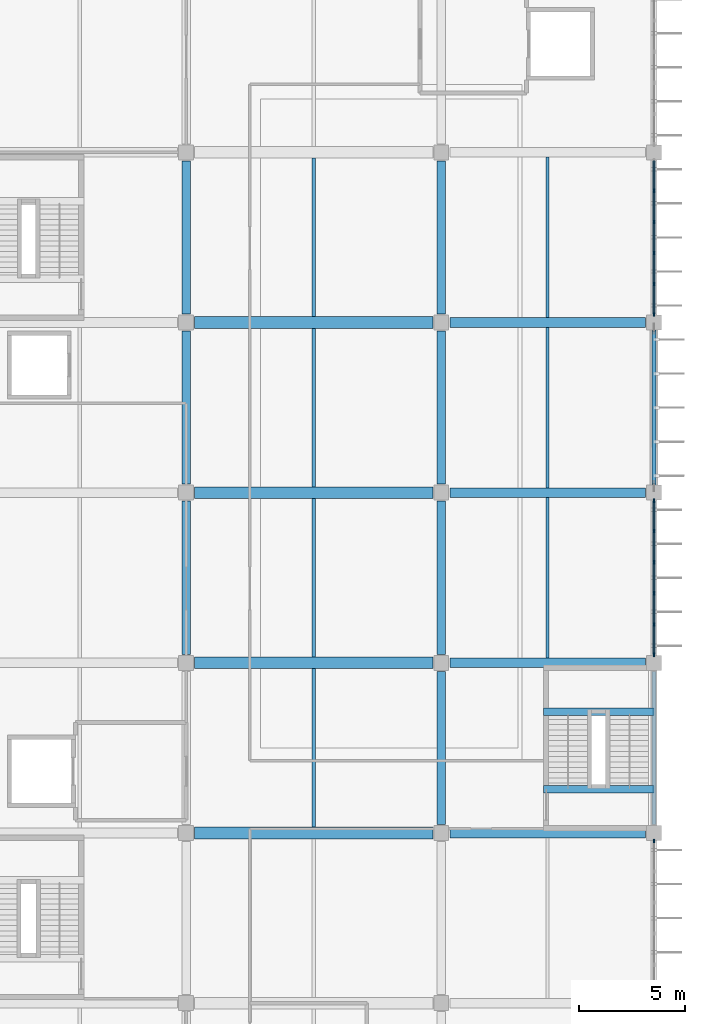
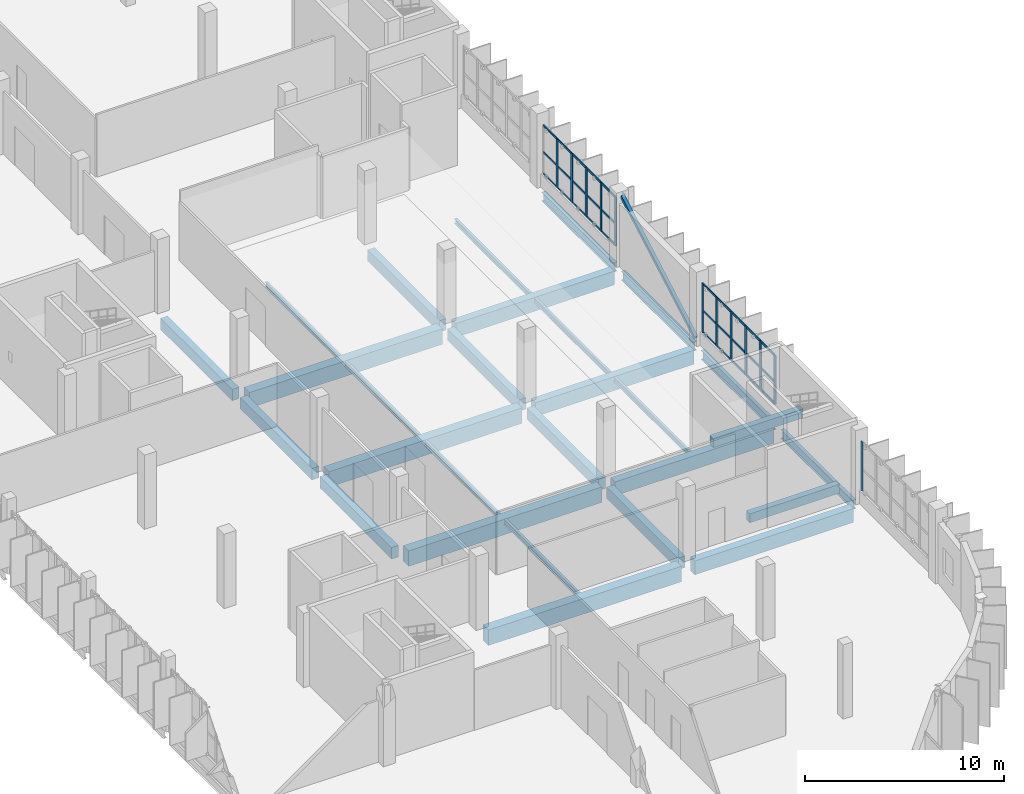
# One storey, part 45 of 93: 43 members, 28 beams, 3 elements without a shape of their own.
"""IFC4 building model written with IfcOpenShell, lengths in metres."""

from ifc_helpers import new_model, si_unit, direction, frame, origin, origin_2d, place, context, subcontext, project, spatial, rectangle, hollow_rectangle, i_section, extrude, material, layer, layer_set, material_profile, profile_set, type_object, element, aggregate, save


model = new_model("IFC4")

# Units and contexts
model_context = context("Model", 3, precision=1e-05, world=origin(), true_north=direction((0.0, 1.0)))
body_context = subcontext(model_context, "Body", "Model", "MODEL_VIEW")
ifc_project = project(units=[si_unit("LENGTHUNIT", "METRE"), si_unit("AREAUNIT", "SQUARE_METRE"), si_unit("VOLUMEUNIT", "CUBIC_METRE"), si_unit("PLANEANGLEUNIT", "RADIAN"), si_unit("MASSUNIT", "GRAM", prefix="KILO")], contexts=[model_context])

# Site, building, storey
site_placement = place(None, origin())
site = spatial("IfcSite", under=ifc_project, at=site_placement, CompositionType="ELEMENT")
building_placement = place(site_placement, origin())
building = spatial("IfcBuilding", under=site, at=building_placement, Name="Drelvana Railside Aquatics Centre", CompositionType="ELEMENT")
storey_placement = place(building_placement, frame((0.0, 0.0, 5.39990234375)))
storey = spatial("IfcBuildingStorey", under=building, at=storey_placement, Name="L01", CompositionType="ELEMENT", Elevation=5.39990234375)

# Curtain wall, member
ifc_material_1 = material(Name="Bronze-anodised aluminium curtain wall", Category="aluminium")
ifc_layer = layer(ifc_material_1, 0.175048828125, Name="Bronze-anodised aluminium curtain wall")
ifc_layer_set = layer_set([ifc_layer], Name="Bronze-anodised aluminium curtain wall")
curtain_wall_type = type_object("IfcCurtainWallType", Name="CW-Z6-WING", PredefinedType="NOTDEFINED", material=ifc_layer_set)
curtain_wall_1_placement = place(storey_placement, origin())
curtain_wall_1 = element("IfcCurtainWall", 1, at=curtain_wall_1_placement, inside=storey, type_object=curtain_wall_type, Name="Curtain wall CW-06-167", PredefinedType="NOTDEFINED")
ifc_material_2 = material(Name="Bronze-anodised aluminium 6063-T6", Category="aluminium")
ifc_material_profile_1 = material_profile(ifc_material_2, rectangle(XDim=0.06494140625, YDim=0.175048828125, at=origin_2d()), Name="ALU-M 65x175")
ifc_profile_set_1 = profile_set([ifc_material_profile_1], Name="Bronze-anodised aluminium 6063-T6")
member_type_1 = type_object("IfcMemberType", Name="CW-Z6-WING-MUL", PredefinedType="MULLION", material=ifc_profile_set_1)
member_1_placement = place(storey_placement, frame((184.0, 31.62353515625, 0.794189453125), z_axis=(0.0, 0.0, 1.0), x_axis=(-1.0, 0.0, 0.0)))
member_1 = element("IfcMember", 2, at=member_1_placement, type_object=member_type_1, Name="CW-06 mullion 6", PredefinedType="MULLION", context=body_context, shape_type="SweptSolid", body=[
    extrude(rectangle(XDim=0.06494140625, YDim=0.175048828125, at=origin_2d()), origin(), (0.0, 0.0, 1.0), 3.005859375),
])
aggregate(curtain_wall_1, [member_1])

# Curtain wall, members
curtain_wall_2_placement = place(storey_placement, origin())
curtain_wall_2 = element("IfcCurtainWall", 3, at=curtain_wall_2_placement, inside=storey, type_object=curtain_wall_type, Name="Curtain wall CW-06-171", PredefinedType="NOTDEFINED")
member_2_placement = place(storey_placement, frame((184.0, 40.37646484375, 0.794189453125), z_axis=(0.0, 0.0, 1.0), x_axis=(-1.0, 0.0, 0.0)))
member_2 = element("IfcMember", 4, at=member_2_placement, type_object=member_type_1, Name="CW-06 mullion 1", PredefinedType="MULLION", context=body_context, shape_type="SweptSolid", body=[
    extrude(rectangle(XDim=0.06494140625, YDim=0.175048828125, at=origin_2d()), origin(), (0.0, 0.0, 1.0), 3.005859375),
])
member_3_placement = place(storey_placement, frame((184.0, 41.806396484375, 0.794189453125), z_axis=(0.0, 0.0, 1.0), x_axis=(-1.0, 0.0, 0.0)))
member_3 = element("IfcMember", 5, at=member_3_placement, type_object=member_type_1, Name="CW-06 mullion 2", PredefinedType="MULLION", context=body_context, shape_type="SweptSolid", body=[
    extrude(rectangle(XDim=0.06494140625, YDim=0.175048828125, at=origin_2d()), origin(), (0.0, 0.0, 1.0), 3.005859375),
])
member_4_placement = place(storey_placement, frame((184.0, 43.268798828125, 0.794189453125), z_axis=(0.0, 0.0, 1.0), x_axis=(-1.0, 0.0, 0.0)))
member_4 = element("IfcMember", 6, at=member_4_placement, type_object=member_type_1, Name="CW-06 mullion 3", PredefinedType="MULLION", context=body_context, shape_type="SweptSolid", body=[
    extrude(rectangle(XDim=0.06494140625, YDim=0.175048828125, at=origin_2d()), origin(), (0.0, 0.0, 1.0), 3.005859375),
])
member_5_placement = place(storey_placement, frame((184.0, 44.731201171875, 0.794189453125), z_axis=(0.0, 0.0, 1.0), x_axis=(-1.0, 0.0, 0.0)))
member_5 = element("IfcMember", 7, at=member_5_placement, type_object=member_type_1, Name="CW-06 mullion 4", PredefinedType="MULLION", context=body_context, shape_type="SweptSolid", body=[
    extrude(rectangle(XDim=0.06494140625, YDim=0.175048828125, at=origin_2d()), origin(), (0.0, 0.0, 1.0), 3.005859375),
])
member_6_placement = place(storey_placement, frame((184.0, 46.193603515625, 0.794189453125), z_axis=(0.0, 0.0, 1.0), x_axis=(-1.0, 0.0, 0.0)))
member_6 = element("IfcMember", 8, at=member_6_placement, type_object=member_type_1, Name="CW-06 mullion 5", PredefinedType="MULLION", context=body_context, shape_type="SweptSolid", body=[
    extrude(rectangle(XDim=0.06494140625, YDim=0.175048828125, at=origin_2d()), origin(), (0.0, 0.0, 1.0), 3.005859375),
])
member_7_placement = place(storey_placement, frame((184.0, 47.62353515625, 0.794189453125), z_axis=(0.0, 0.0, 1.0), x_axis=(-1.0, 0.0, 0.0)))
member_7 = element("IfcMember", 9, at=member_7_placement, type_object=member_type_1, Name="CW-06 mullion 6", PredefinedType="MULLION", context=body_context, shape_type="SweptSolid", body=[
    extrude(rectangle(XDim=0.06494140625, YDim=0.175048828125, at=origin_2d()), origin(), (0.0, 0.0, 1.0), 3.005859375),
])

curtain_wall_3_placement = place(storey_placement, origin())
curtain_wall_3 = element("IfcCurtainWall", 10, at=curtain_wall_3_placement, inside=storey, type_object=curtain_wall_type, Name="Curtain wall CW-06-176", PredefinedType="NOTDEFINED")
member_8_placement = place(storey_placement, frame((184.0, 56.37646484375, 0.794189453125), z_axis=(0.0, 0.0, 1.0), x_axis=(-1.0, 0.0, 0.0)))
member_8 = element("IfcMember", 11, at=member_8_placement, type_object=member_type_1, Name="CW-06 mullion 1", PredefinedType="MULLION", context=body_context, shape_type="SweptSolid", body=[
    extrude(rectangle(XDim=0.06494140625, YDim=0.175048828125, at=origin_2d()), origin(), (0.0, 0.0, 1.0), 3.005859375),
])
member_9_placement = place(storey_placement, frame((184.0, 57.806396484375, 0.794189453125), z_axis=(0.0, 0.0, 1.0), x_axis=(-1.0, 0.0, 0.0)))
member_9 = element("IfcMember", 12, at=member_9_placement, type_object=member_type_1, Name="CW-06 mullion 2", PredefinedType="MULLION", context=body_context, shape_type="SweptSolid", body=[
    extrude(rectangle(XDim=0.06494140625, YDim=0.175048828125, at=origin_2d()), origin(), (0.0, 0.0, 1.0), 3.005859375),
])
member_10_placement = place(storey_placement, frame((184.0, 59.268798828125, 0.794189453125), z_axis=(0.0, 0.0, 1.0), x_axis=(-1.0, 0.0, 0.0)))
member_10 = element("IfcMember", 13, at=member_10_placement, type_object=member_type_1, Name="CW-06 mullion 3", PredefinedType="MULLION", context=body_context, shape_type="SweptSolid", body=[
    extrude(rectangle(XDim=0.06494140625, YDim=0.175048828125, at=origin_2d()), origin(), (0.0, 0.0, 1.0), 3.005859375),
])
member_11_placement = place(storey_placement, frame((184.0, 60.731201171875, 0.794189453125), z_axis=(0.0, 0.0, 1.0), x_axis=(-1.0, 0.0, 0.0)))
member_11 = element("IfcMember", 14, at=member_11_placement, type_object=member_type_1, Name="CW-06 mullion 4", PredefinedType="MULLION", context=body_context, shape_type="SweptSolid", body=[
    extrude(rectangle(XDim=0.06494140625, YDim=0.175048828125, at=origin_2d()), origin(), (0.0, 0.0, 1.0), 3.005859375),
])
member_12_placement = place(storey_placement, frame((184.0, 62.193603515625, 0.794189453125), z_axis=(0.0, 0.0, 1.0), x_axis=(-1.0, 0.0, 0.0)))
member_12 = element("IfcMember", 15, at=member_12_placement, type_object=member_type_1, Name="CW-06 mullion 5", PredefinedType="MULLION", context=body_context, shape_type="SweptSolid", body=[
    extrude(rectangle(XDim=0.06494140625, YDim=0.175048828125, at=origin_2d()), origin(), (0.0, 0.0, 1.0), 3.005859375),
])

# Member
ifc_material_profile_2 = material_profile(ifc_material_2, rectangle(XDim=0.1201171875, YDim=0.06005859375, at=origin_2d()), Name="ALU-T 60x120")
ifc_profile_set_2 = profile_set([ifc_material_profile_2], Name="Bronze-anodised aluminium 6063-T6")
member_type_2 = type_object("IfcMemberType", Name="CW-Z6-WING-TRN", PredefinedType="USERDEFINED", material=ifc_profile_set_2)
member_13_placement = place(storey_placement, frame((184.0, 40.404052734375, 0.82421875), z_axis=(0.0, 1.0, 0.0), x_axis=(0.0, 0.0, 1.0)))
member_13 = element("IfcMember", 16, at=member_13_placement, type_object=member_type_2, Name="CW-06 transom 1.1", ObjectType="TRANSOM", PredefinedType="USERDEFINED", context=body_context, shape_type="SweptSolid", body=[
    extrude(rectangle(XDim=0.1201171875, YDim=0.06005859375, at=origin_2d()), origin(), (0.0, 0.0, 1.0), 1.374755859375),
])

member_14_placement = place(storey_placement, frame((184.0, 40.404052734375, 2.147216796875), z_axis=(0.0, 1.0, 0.0), x_axis=(0.0, 0.0, 1.0)))
member_14 = element("IfcMember", 17, at=member_14_placement, type_object=member_type_2, Name="CW-06 transom 1.2", ObjectType="TRANSOM", PredefinedType="USERDEFINED", context=body_context, shape_type="SweptSolid", body=[
    extrude(rectangle(XDim=0.1201171875, YDim=0.06005859375, at=origin_2d()), origin(), (0.0, 0.0, 1.0), 1.374755859375),
])

member_15_placement = place(storey_placement, frame((184.0, 40.404052734375, 3.77001953125), z_axis=(0.0, 1.0, 0.0), x_axis=(0.0, 0.0, 1.0)))
member_15 = element("IfcMember", 18, at=member_15_placement, type_object=member_type_2, Name="CW-06 transom 1.3", ObjectType="TRANSOM", PredefinedType="USERDEFINED", context=body_context, shape_type="SweptSolid", body=[
    extrude(rectangle(XDim=0.1201171875, YDim=0.06005859375, at=origin_2d()), origin(), (0.0, 0.0, 1.0), 1.374755859375),
])

member_16_placement = place(storey_placement, frame((184.0, 41.833984375, 0.82421875), z_axis=(0.0, 1.0, 0.0), x_axis=(0.0, 0.0, 1.0)))
member_16 = element("IfcMember", 19, at=member_16_placement, type_object=member_type_2, Name="CW-06 transom 2.1", ObjectType="TRANSOM", PredefinedType="USERDEFINED", context=body_context, shape_type="SweptSolid", body=[
    extrude(rectangle(XDim=0.1201171875, YDim=0.06005859375, at=origin_2d()), origin(), (0.0, 0.0, 1.0), 1.4072265625),
])

member_17_placement = place(storey_placement, frame((184.0, 41.833984375, 2.147216796875), z_axis=(0.0, 1.0, 0.0), x_axis=(0.0, 0.0, 1.0)))
member_17 = element("IfcMember", 20, at=member_17_placement, type_object=member_type_2, Name="CW-06 transom 2.2", ObjectType="TRANSOM", PredefinedType="USERDEFINED", context=body_context, shape_type="SweptSolid", body=[
    extrude(rectangle(XDim=0.1201171875, YDim=0.06005859375, at=origin_2d()), origin(), (0.0, 0.0, 1.0), 1.4072265625),
])

member_18_placement = place(storey_placement, frame((184.0, 41.833984375, 3.77001953125), z_axis=(0.0, 1.0, 0.0), x_axis=(0.0, 0.0, 1.0)))
member_18 = element("IfcMember", 21, at=member_18_placement, type_object=member_type_2, Name="CW-06 transom 2.3", ObjectType="TRANSOM", PredefinedType="USERDEFINED", context=body_context, shape_type="SweptSolid", body=[
    extrude(rectangle(XDim=0.1201171875, YDim=0.06005859375, at=origin_2d()), origin(), (0.0, 0.0, 1.0), 1.4072265625),
])

member_19_placement = place(storey_placement, frame((184.0, 43.29638671875, 0.82421875), z_axis=(0.0, 1.0, 0.0), x_axis=(0.0, 0.0, 1.0)))
member_19 = element("IfcMember", 22, at=member_19_placement, type_object=member_type_2, Name="CW-06 transom 3.1", ObjectType="TRANSOM", PredefinedType="USERDEFINED", context=body_context, shape_type="SweptSolid", body=[
    extrude(rectangle(XDim=0.1201171875, YDim=0.06005859375, at=origin_2d()), origin(), (0.0, 0.0, 1.0), 1.4072265625),
])

member_20_placement = place(storey_placement, frame((184.0, 43.29638671875, 2.147216796875), z_axis=(0.0, 1.0, 0.0), x_axis=(0.0, 0.0, 1.0)))
member_20 = element("IfcMember", 23, at=member_20_placement, type_object=member_type_2, Name="CW-06 transom 3.2", ObjectType="TRANSOM", PredefinedType="USERDEFINED", context=body_context, shape_type="SweptSolid", body=[
    extrude(rectangle(XDim=0.1201171875, YDim=0.06005859375, at=origin_2d()), origin(), (0.0, 0.0, 1.0), 1.4072265625),
])

member_21_placement = place(storey_placement, frame((184.0, 43.29638671875, 3.77001953125), z_axis=(0.0, 1.0, 0.0), x_axis=(0.0, 0.0, 1.0)))
member_21 = element("IfcMember", 24, at=member_21_placement, type_object=member_type_2, Name="CW-06 transom 3.3", ObjectType="TRANSOM", PredefinedType="USERDEFINED", context=body_context, shape_type="SweptSolid", body=[
    extrude(rectangle(XDim=0.1201171875, YDim=0.06005859375, at=origin_2d()), origin(), (0.0, 0.0, 1.0), 1.4072265625),
])

member_22_placement = place(storey_placement, frame((184.0, 44.7587890625, 0.82421875), z_axis=(0.0, 1.0, 0.0), x_axis=(0.0, 0.0, 1.0)))
member_22 = element("IfcMember", 25, at=member_22_placement, type_object=member_type_2, Name="CW-06 transom 4.1", ObjectType="TRANSOM", PredefinedType="USERDEFINED", context=body_context, shape_type="SweptSolid", body=[
    extrude(rectangle(XDim=0.1201171875, YDim=0.06005859375, at=origin_2d()), origin(), (0.0, 0.0, 1.0), 1.4072265625),
])

member_23_placement = place(storey_placement, frame((184.0, 44.7587890625, 2.147216796875), z_axis=(0.0, 1.0, 0.0), x_axis=(0.0, 0.0, 1.0)))
member_23 = element("IfcMember", 26, at=member_23_placement, type_object=member_type_2, Name="CW-06 transom 4.2", ObjectType="TRANSOM", PredefinedType="USERDEFINED", context=body_context, shape_type="SweptSolid", body=[
    extrude(rectangle(XDim=0.1201171875, YDim=0.06005859375, at=origin_2d()), origin(), (0.0, 0.0, 1.0), 1.4072265625),
])

member_24_placement = place(storey_placement, frame((184.0, 44.7587890625, 3.77001953125), z_axis=(0.0, 1.0, 0.0), x_axis=(0.0, 0.0, 1.0)))
member_24 = element("IfcMember", 27, at=member_24_placement, type_object=member_type_2, Name="CW-06 transom 4.3", ObjectType="TRANSOM", PredefinedType="USERDEFINED", context=body_context, shape_type="SweptSolid", body=[
    extrude(rectangle(XDim=0.1201171875, YDim=0.06005859375, at=origin_2d()), origin(), (0.0, 0.0, 1.0), 1.4072265625),
])

member_25_placement = place(storey_placement, frame((184.0, 46.22119140625, 0.82421875), z_axis=(0.0, 1.0, 0.0), x_axis=(0.0, 0.0, 1.0)))
member_25 = element("IfcMember", 28, at=member_25_placement, type_object=member_type_2, Name="CW-06 transom 5.1", ObjectType="TRANSOM", PredefinedType="USERDEFINED", context=body_context, shape_type="SweptSolid", body=[
    extrude(rectangle(XDim=0.1201171875, YDim=0.06005859375, at=origin_2d()), origin(), (0.0, 0.0, 1.0), 1.374755859375),
])

member_26_placement = place(storey_placement, frame((184.0, 46.22119140625, 2.147216796875), z_axis=(0.0, 1.0, 0.0), x_axis=(0.0, 0.0, 1.0)))
member_26 = element("IfcMember", 29, at=member_26_placement, type_object=member_type_2, Name="CW-06 transom 5.2", ObjectType="TRANSOM", PredefinedType="USERDEFINED", context=body_context, shape_type="SweptSolid", body=[
    extrude(rectangle(XDim=0.1201171875, YDim=0.06005859375, at=origin_2d()), origin(), (0.0, 0.0, 1.0), 1.374755859375),
])

member_27_placement = place(storey_placement, frame((184.0, 46.22119140625, 3.77001953125), z_axis=(0.0, 1.0, 0.0), x_axis=(0.0, 0.0, 1.0)))
member_27 = element("IfcMember", 30, at=member_27_placement, type_object=member_type_2, Name="CW-06 transom 5.3", ObjectType="TRANSOM", PredefinedType="USERDEFINED", context=body_context, shape_type="SweptSolid", body=[
    extrude(rectangle(XDim=0.1201171875, YDim=0.06005859375, at=origin_2d()), origin(), (0.0, 0.0, 1.0), 1.374755859375),
])

aggregate(curtain_wall_2, [member_2, member_3, member_4, member_5, member_6, member_7, member_13, member_14, member_15, member_16, member_17, member_18, member_19, member_20, member_21, member_22, member_23, member_24, member_25, member_26, member_27])

member_28_placement = place(storey_placement, frame((184.0, 56.404052734375, 0.82421875), z_axis=(0.0, 1.0, 0.0), x_axis=(0.0, 0.0, 1.0)))
member_28 = element("IfcMember", 31, at=member_28_placement, type_object=member_type_2, Name="CW-06 transom 1.1", ObjectType="TRANSOM", PredefinedType="USERDEFINED", context=body_context, shape_type="SweptSolid", body=[
    extrude(rectangle(XDim=0.1201171875, YDim=0.06005859375, at=origin_2d()), origin(), (0.0, 0.0, 1.0), 1.374755859375),
])

member_29_placement = place(storey_placement, frame((184.0, 56.404052734375, 2.147216796875), z_axis=(0.0, 1.0, 0.0), x_axis=(0.0, 0.0, 1.0)))
member_29 = element("IfcMember", 32, at=member_29_placement, type_object=member_type_2, Name="CW-06 transom 1.2", ObjectType="TRANSOM", PredefinedType="USERDEFINED", context=body_context, shape_type="SweptSolid", body=[
    extrude(rectangle(XDim=0.1201171875, YDim=0.06005859375, at=origin_2d()), origin(), (0.0, 0.0, 1.0), 1.374755859375),
])

member_30_placement = place(storey_placement, frame((184.0, 56.404052734375, 3.77001953125), z_axis=(0.0, 1.0, 0.0), x_axis=(0.0, 0.0, 1.0)))
member_30 = element("IfcMember", 33, at=member_30_placement, type_object=member_type_2, Name="CW-06 transom 1.3", ObjectType="TRANSOM", PredefinedType="USERDEFINED", context=body_context, shape_type="SweptSolid", body=[
    extrude(rectangle(XDim=0.1201171875, YDim=0.06005859375, at=origin_2d()), origin(), (0.0, 0.0, 1.0), 1.374755859375),
])

member_31_placement = place(storey_placement, frame((184.0, 57.833984375, 0.82421875), z_axis=(0.0, 1.0, 0.0), x_axis=(0.0, 0.0, 1.0)))
member_31 = element("IfcMember", 34, at=member_31_placement, type_object=member_type_2, Name="CW-06 transom 2.1", ObjectType="TRANSOM", PredefinedType="USERDEFINED", context=body_context, shape_type="SweptSolid", body=[
    extrude(rectangle(XDim=0.1201171875, YDim=0.06005859375, at=origin_2d()), origin(), (0.0, 0.0, 1.0), 1.4072265625),
])

member_32_placement = place(storey_placement, frame((184.0, 57.833984375, 2.147216796875), z_axis=(0.0, 1.0, 0.0), x_axis=(0.0, 0.0, 1.0)))
member_32 = element("IfcMember", 35, at=member_32_placement, type_object=member_type_2, Name="CW-06 transom 2.2", ObjectType="TRANSOM", PredefinedType="USERDEFINED", context=body_context, shape_type="SweptSolid", body=[
    extrude(rectangle(XDim=0.1201171875, YDim=0.06005859375, at=origin_2d()), origin(), (0.0, 0.0, 1.0), 1.4072265625),
])

member_33_placement = place(storey_placement, frame((184.0, 57.833984375, 3.77001953125), z_axis=(0.0, 1.0, 0.0), x_axis=(0.0, 0.0, 1.0)))
member_33 = element("IfcMember", 36, at=member_33_placement, type_object=member_type_2, Name="CW-06 transom 2.3", ObjectType="TRANSOM", PredefinedType="USERDEFINED", context=body_context, shape_type="SweptSolid", body=[
    extrude(rectangle(XDim=0.1201171875, YDim=0.06005859375, at=origin_2d()), origin(), (0.0, 0.0, 1.0), 1.4072265625),
])

member_34_placement = place(storey_placement, frame((184.0, 59.29638671875, 0.82421875), z_axis=(0.0, 1.0, 0.0), x_axis=(0.0, 0.0, 1.0)))
member_34 = element("IfcMember", 37, at=member_34_placement, type_object=member_type_2, Name="CW-06 transom 3.1", ObjectType="TRANSOM", PredefinedType="USERDEFINED", context=body_context, shape_type="SweptSolid", body=[
    extrude(rectangle(XDim=0.1201171875, YDim=0.06005859375, at=origin_2d()), origin(), (0.0, 0.0, 1.0), 1.4072265625),
])

member_35_placement = place(storey_placement, frame((184.0, 59.29638671875, 2.147216796875), z_axis=(0.0, 1.0, 0.0), x_axis=(0.0, 0.0, 1.0)))
member_35 = element("IfcMember", 38, at=member_35_placement, type_object=member_type_2, Name="CW-06 transom 3.2", ObjectType="TRANSOM", PredefinedType="USERDEFINED", context=body_context, shape_type="SweptSolid", body=[
    extrude(rectangle(XDim=0.1201171875, YDim=0.06005859375, at=origin_2d()), origin(), (0.0, 0.0, 1.0), 1.4072265625),
])

member_36_placement = place(storey_placement, frame((184.0, 59.29638671875, 3.77001953125), z_axis=(0.0, 1.0, 0.0), x_axis=(0.0, 0.0, 1.0)))
member_36 = element("IfcMember", 39, at=member_36_placement, type_object=member_type_2, Name="CW-06 transom 3.3", ObjectType="TRANSOM", PredefinedType="USERDEFINED", context=body_context, shape_type="SweptSolid", body=[
    extrude(rectangle(XDim=0.1201171875, YDim=0.06005859375, at=origin_2d()), origin(), (0.0, 0.0, 1.0), 1.4072265625),
])

member_37_placement = place(storey_placement, frame((184.0, 60.7587890625, 0.82421875), z_axis=(0.0, 1.0, 0.0), x_axis=(0.0, 0.0, 1.0)))
member_37 = element("IfcMember", 40, at=member_37_placement, type_object=member_type_2, Name="CW-06 transom 4.1", ObjectType="TRANSOM", PredefinedType="USERDEFINED", context=body_context, shape_type="SweptSolid", body=[
    extrude(rectangle(XDim=0.1201171875, YDim=0.06005859375, at=origin_2d()), origin(), (0.0, 0.0, 1.0), 1.4072265625),
])

member_38_placement = place(storey_placement, frame((184.0, 60.7587890625, 2.147216796875), z_axis=(0.0, 1.0, 0.0), x_axis=(0.0, 0.0, 1.0)))
member_38 = element("IfcMember", 41, at=member_38_placement, type_object=member_type_2, Name="CW-06 transom 4.2", ObjectType="TRANSOM", PredefinedType="USERDEFINED", context=body_context, shape_type="SweptSolid", body=[
    extrude(rectangle(XDim=0.1201171875, YDim=0.06005859375, at=origin_2d()), origin(), (0.0, 0.0, 1.0), 1.4072265625),
])

member_39_placement = place(storey_placement, frame((184.0, 60.7587890625, 3.77001953125), z_axis=(0.0, 1.0, 0.0), x_axis=(0.0, 0.0, 1.0)))
member_39 = element("IfcMember", 42, at=member_39_placement, type_object=member_type_2, Name="CW-06 transom 4.3", ObjectType="TRANSOM", PredefinedType="USERDEFINED", context=body_context, shape_type="SweptSolid", body=[
    extrude(rectangle(XDim=0.1201171875, YDim=0.06005859375, at=origin_2d()), origin(), (0.0, 0.0, 1.0), 1.4072265625),
])

member_40_placement = place(storey_placement, frame((184.0, 62.22119140625, 0.82421875), z_axis=(0.0, 1.0, 0.0), x_axis=(0.0, 0.0, 1.0)))
member_40 = element("IfcMember", 43, at=member_40_placement, type_object=member_type_2, Name="CW-06 transom 5.1", ObjectType="TRANSOM", PredefinedType="USERDEFINED", context=body_context, shape_type="SweptSolid", body=[
    extrude(rectangle(XDim=0.1201171875, YDim=0.06005859375, at=origin_2d()), origin(), (0.0, 0.0, 1.0), 1.374755859375),
])

member_41_placement = place(storey_placement, frame((184.0, 62.22119140625, 2.147216796875), z_axis=(0.0, 1.0, 0.0), x_axis=(0.0, 0.0, 1.0)))
member_41 = element("IfcMember", 44, at=member_41_placement, type_object=member_type_2, Name="CW-06 transom 5.2", ObjectType="TRANSOM", PredefinedType="USERDEFINED", context=body_context, shape_type="SweptSolid", body=[
    extrude(rectangle(XDim=0.1201171875, YDim=0.06005859375, at=origin_2d()), origin(), (0.0, 0.0, 1.0), 1.374755859375),
])

member_42_placement = place(storey_placement, frame((184.0, 62.22119140625, 3.77001953125), z_axis=(0.0, 1.0, 0.0), x_axis=(0.0, 0.0, 1.0)))
member_42 = element("IfcMember", 45, at=member_42_placement, type_object=member_type_2, Name="CW-06 transom 5.3", ObjectType="TRANSOM", PredefinedType="USERDEFINED", context=body_context, shape_type="SweptSolid", body=[
    extrude(rectangle(XDim=0.1201171875, YDim=0.06005859375, at=origin_2d()), origin(), (0.0, 0.0, 1.0), 1.374755859375),
])

aggregate(curtain_wall_3, [member_8, member_9, member_10, member_11, member_12, member_28, member_29, member_30, member_31, member_32, member_33, member_34, member_35, member_36, member_37, member_38, member_39, member_40, member_41, member_42])

# Beams
ifc_material_3 = material(Name="Concrete C40/50", Category="concrete")
ifc_material_profile_3 = material_profile(ifc_material_3, rectangle(XDim=0.35009765625, YDim=0.550048828125, at=origin_2d()), Name="RC 350x550")
ifc_profile_set_3 = profile_set([ifc_material_profile_3], Name="Concrete C40/50")
beam_type_1 = type_object("IfcBeamType", Name="STR-BM-BM-01-RC-350x550", PredefinedType="BEAM", material=ifc_profile_set_3)
for number, where, z_axis, x_axis, name in (
    (46, (178.800048828125, 34.050048828125, -0.474853515625), (1.0, 0.0, 0.0), (0.0, 1.0, 0.0), "Stair ST-09 L01 landing beam"),
    (47, (178.800048828125, 37.7099609375, 1.925048828125), (1.0, 0.0, 0.0), (0.0, 1.0, 0.0), "Stair ST-09 L01 mid-landing beam"),
):
    element("IfcBeam", number, at=place(storey_placement, frame(where, z_axis=z_axis, x_axis=x_axis)), inside=storey, type_object=beam_type_1, Name=name, PredefinedType="BEAM", context=body_context, shape_type="SweptSolid", body=[
        extrude(rectangle(XDim=0.35009765625, YDim=0.550048828125, at=origin_2d()), origin(), (0.0, 0.0, 1.0), 5.199951171875),
    ])
ifc_material_profile_4 = material_profile(ifc_material_3, rectangle(XDim=0.39990234375, YDim=0.699951171875, at=origin_2d()), Name="RC 400x700")
ifc_profile_set_4 = profile_set([ifc_material_profile_4], Name="Concrete C40/50")
beam_type_2 = type_object("IfcBeamType", Name="STR-BM-BM-03-RC-400x700", PredefinedType="BEAM", material=ifc_profile_set_4)
for number, where, z_axis, x_axis, name in (
    (48, (162.0, 40.39990234375, -0.625), (0.0, 1.0, 0.0), (-1.0, 0.0, 0.0), "Girder BM-03 (L01)"),
    (49, (162.0, 48.39990234375, -0.625), (0.0, 1.0, 0.0), (-1.0, 0.0, 0.0), "Girder BM-03 (L01)"),
    (50, (162.0, 56.39990234375, -0.625), (0.0, 1.0, 0.0), (-1.0, 0.0, 0.0), "Girder BM-03 (L01)"),
    (51, (174.0, 32.39990234375, -0.625), (0.0, 1.0, 0.0), (-1.0, 0.0, 0.0), "Girder BM-03 (L01)"),
    (52, (174.0, 40.39990234375, -0.625), (0.0, 1.0, 0.0), (-1.0, 0.0, 0.0), "Girder BM-03 (L01)"),
    (53, (174.0, 48.39990234375, -0.625), (0.0, 1.0, 0.0), (-1.0, 0.0, 0.0), "Girder BM-03 (L01)"),
    (54, (174.0, 56.39990234375, -0.625), (0.0, 1.0, 0.0), (-1.0, 0.0, 0.0), "Girder BM-03 (L01)"),
):
    element("IfcBeam", number, at=place(storey_placement, frame(where, z_axis=z_axis, x_axis=x_axis)), inside=storey, type_object=beam_type_2, Name=name, PredefinedType="BEAM", context=body_context, shape_type="SweptSolid", body=[
        extrude(rectangle(XDim=0.39990234375, YDim=0.699951171875, at=origin_2d()), origin(), (0.0, 0.0, 1.0), 7.2001953125),
    ])
ifc_material_profile_5 = material_profile(ifc_material_3, rectangle(XDim=0.449951171875, YDim=0.85009765625, at=origin_2d()), Name="RC 450x850")
ifc_profile_set_5 = profile_set([ifc_material_profile_5], Name="Concrete C40/50")
beam_type_3 = type_object("IfcBeamType", Name="STR-BM-BM-05-RC-450x850", PredefinedType="BEAM", material=ifc_profile_set_5)
for number, where, z_axis, x_axis, name in (
    (55, (174.39990234375, 32.0, -0.699951171875), (1.0, 0.0, 0.0), (0.0, 1.0, 0.0), "Girder BM-05 (L01)"),
    (56, (174.39990234375, 40.0, -0.699951171875), (1.0, 0.0, 0.0), (0.0, 1.0, 0.0), "Girder BM-05 (L01)"),
    (57, (174.39990234375, 48.0, -0.699951171875), (1.0, 0.0, 0.0), (0.0, 1.0, 0.0), "Girder BM-05 (L01)"),
    (58, (174.39990234375, 56.0, -0.699951171875), (1.0, 0.0, 0.0), (0.0, 1.0, 0.0), "Girder BM-05 (L01)"),
):
    element("IfcBeam", number, at=place(storey_placement, frame(where, z_axis=z_axis, x_axis=x_axis)), inside=storey, type_object=beam_type_3, Name=name, PredefinedType="BEAM", context=body_context, shape_type="SweptSolid", body=[
        extrude(rectangle(XDim=0.449951171875, YDim=0.85009765625, at=origin_2d()), origin(), (0.0, 0.0, 1.0), 9.2001953125),
    ])
ifc_material_profile_6 = material_profile(ifc_material_3, rectangle(XDim=0.550048828125, YDim=0.949951171875, at=origin_2d()), Name="RC 550x950")
ifc_profile_set_6 = profile_set([ifc_material_profile_6], Name="Concrete C40/50")
beam_type_4 = type_object("IfcBeamType", Name="STR-BM-BM-08-RC-550x950", PredefinedType="BEAM", material=ifc_profile_set_6)
for number, where, z_axis, x_axis, name in (
    (59, (162.39990234375, 32.0, -0.75), (1.0, 0.0, 0.0), (0.0, 1.0, 0.0), "Girder BM-08 (L01)"),
    (60, (162.39990234375, 40.0, -0.75), (1.0, 0.0, 0.0), (0.0, 1.0, 0.0), "Girder BM-08 (L01)"),
    (61, (162.39990234375, 48.0, -0.75), (1.0, 0.0, 0.0), (0.0, 1.0, 0.0), "Girder BM-08 (L01)"),
    (62, (162.39990234375, 56.0, -0.75), (1.0, 0.0, 0.0), (0.0, 1.0, 0.0), "Girder BM-08 (L01)"),
):
    element("IfcBeam", number, at=place(storey_placement, frame(where, z_axis=z_axis, x_axis=x_axis)), inside=storey, type_object=beam_type_4, Name=name, PredefinedType="BEAM", context=body_context, shape_type="SweptSolid", body=[
        extrude(rectangle(XDim=0.550048828125, YDim=0.949951171875, at=origin_2d()), origin(), (0.0, 0.0, 1.0), 11.2001953125),
    ])

# Member
ifc_material_4 = material(Name="Structural steel S355", Category="steel")
ifc_material_profile_7 = material_profile(ifc_material_4, hollow_rectangle(XDim=0.199951171875, YDim=0.199951171875, WallThickness=0.010009765625, at=origin_2d()), Name="SHS 200x200x10")
ifc_profile_set_7 = profile_set([ifc_material_profile_7], Name="Structural steel S355")
member_type_3 = type_object("IfcMemberType", Name="STR-MBR-BR-04", PredefinedType="BRACE", material=ifc_profile_set_7)
member_43_placement = place(storey_placement, frame((184.0, 48.300048828125, 0.050048828125), z_axis=(0.0, 0.869685582334, 0.493606106001), x_axis=(-1.0, 0.0, 0.0)))
element("IfcMember", 63, at=member_43_placement, inside=storey, type_object=member_type_3, Name="Lateral frame brace BR-08 (L01)", PredefinedType="BRACE", context=body_context, shape_type="SweptSolid", body=[
    extrude(hollow_rectangle(XDim=0.199951171875, YDim=0.199951171875, WallThickness=0.010009765625, at=origin_2d()), origin(), (0.0, 0.0, 1.0), 8.5087890625),
])

# Beams
ifc_material_profile_8 = material_profile(ifc_material_4, i_section(OverallWidth=0.2099609375, OverallDepth=0.550048828125, WebThickness=0.010986328125, FlangeThickness=0.01708984375, at=origin_2d()), Name="IPE 550")
ifc_profile_set_8 = profile_set([ifc_material_profile_8], Name="Structural steel S355")
beam_type_5 = type_object("IfcBeamType", Name="STR-SBM-SB-04-IPE-550", PredefinedType="SPANDREL", material=ifc_profile_set_8)
for number, where, z_axis, x_axis, name in (
    (64, (184.0, 32.39990234375, -0.5498046875), (0.0, 1.0, 0.0), (-1.0, 0.0, 0.0), "Girder SB-04 (L01)"),
    (65, (184.0, 40.39990234375, -0.5498046875), (0.0, 1.0, 0.0), (-1.0, 0.0, 0.0), "Girder SB-04 (L01)"),
    (66, (184.0, 48.39990234375, -0.5498046875), (0.0, 1.0, 0.0), (-1.0, 0.0, 0.0), "Girder SB-04 (L01)"),
    (67, (184.0, 56.39990234375, -0.5498046875), (0.0, 1.0, 0.0), (-1.0, 0.0, 0.0), "Girder SB-04 (L01)"),
):
    element("IfcBeam", number, at=place(storey_placement, frame(where, z_axis=z_axis, x_axis=x_axis)), inside=storey, type_object=beam_type_5, Name=name, PredefinedType="SPANDREL", context=body_context, shape_type="SweptSolid", body=[
        extrude(i_section(OverallWidth=0.2099609375, OverallDepth=0.550048828125, WebThickness=0.010986328125, FlangeThickness=0.01708984375, at=origin_2d()), origin(), (0.0, 0.0, 1.0), 7.2001953125),
    ])
ifc_material_profile_9 = material_profile(ifc_material_4, i_section(OverallWidth=0.14990234375, OverallDepth=0.300048828125, WebThickness=0.007080078125, FlangeThickness=0.0107421875, at=origin_2d()), Name="IPE 300")
ifc_profile_set_9 = profile_set([ifc_material_profile_9], Name="Structural steel S355")
beam_type_6 = type_object("IfcBeamType", Name="STR-SBM-SJ-03-IPE-300", PredefinedType="JOIST", material=ifc_profile_set_9)
for number, where, z_axis, x_axis, name in (
    (68, (168.0, 32.27490234375, -0.4248046875), (0.0, 1.0, 0.0), (-1.0, 0.0, 0.0), "Secondary floor joist SJ-03 (L01)"),
    (69, (168.0, 40.27490234375, -0.4248046875), (0.0, 1.0, 0.0), (-1.0, 0.0, 0.0), "Secondary floor joist SJ-03 (L01)"),
    (70, (168.0, 48.27490234375, -0.4248046875), (0.0, 1.0, 0.0), (-1.0, 0.0, 0.0), "Secondary floor joist SJ-03 (L01)"),
    (71, (168.0, 56.27490234375, -0.4248046875), (0.0, 1.0, 0.0), (-1.0, 0.0, 0.0), "Secondary floor joist SJ-03 (L01)"),
):
    element("IfcBeam", number, at=place(storey_placement, frame(where, z_axis=z_axis, x_axis=x_axis)), inside=storey, type_object=beam_type_6, Name=name, PredefinedType="JOIST", context=body_context, shape_type="SweptSolid", body=[
        extrude(i_section(OverallWidth=0.14990234375, OverallDepth=0.300048828125, WebThickness=0.007080078125, FlangeThickness=0.0107421875, at=origin_2d()), origin(), (0.0, 0.0, 1.0), 7.4501953125),
    ])
for number, where, z_axis, x_axis, name in (
    (72, (179.0, 40.22509765625, -0.4248046875), (0.0, 1.0, 0.0), (-1.0, 0.0, 0.0), "Secondary floor joist SJ-03 (L01)"),
    (73, (179.0, 48.22509765625, -0.4248046875), (0.0, 1.0, 0.0), (-1.0, 0.0, 0.0), "Secondary floor joist SJ-03 (L01)"),
    (74, (179.0, 56.22509765625, -0.4248046875), (0.0, 1.0, 0.0), (-1.0, 0.0, 0.0), "Secondary floor joist SJ-03 (L01)"),
):
    element("IfcBeam", number, at=place(storey_placement, frame(where, z_axis=z_axis, x_axis=x_axis)), inside=storey, type_object=beam_type_6, Name=name, PredefinedType="JOIST", context=body_context, shape_type="SweptSolid", body=[
        extrude(i_section(OverallWidth=0.14990234375, OverallDepth=0.300048828125, WebThickness=0.007080078125, FlangeThickness=0.0107421875, at=origin_2d()), origin(), (0.0, 0.0, 1.0), 7.5498046875),
    ])

save(model, "model.ifc")
